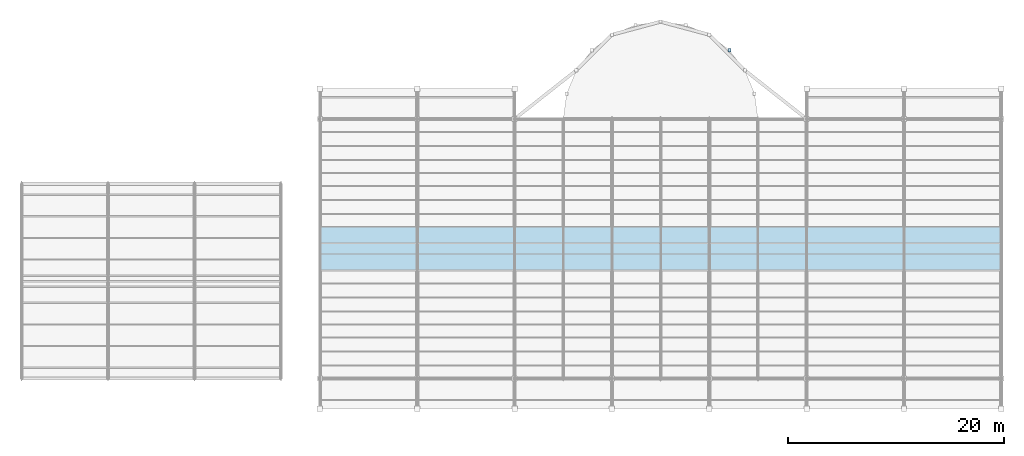
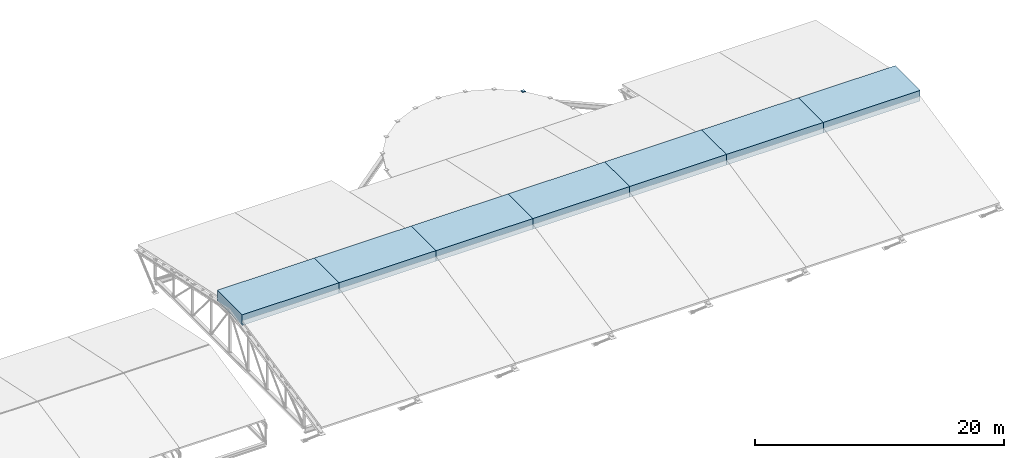
# One storey, part 43 of 43: 7 roofs, 1 plate.
"""IFC4 building model written with IfcOpenShell, lengths in metres."""

from ifc_helpers import new_model, si_unit, direction, frame, origin, origin_2d, place, context, subcontext, project, spatial, polyline, rectangle, outline, extrude, material, layer, layer_set, type_object, element, save


model = new_model("IFC4")

# Units and contexts
model_context = context("Model", 3, precision=1e-05, world=origin(), true_north=direction((0.0, 1.0)))
body_context = subcontext(model_context, "Body", "Model", "MODEL_VIEW")
ifc_project = project(units=[si_unit("LENGTHUNIT", "METRE"), si_unit("AREAUNIT", "SQUARE_METRE"), si_unit("VOLUMEUNIT", "CUBIC_METRE"), si_unit("PLANEANGLEUNIT", "RADIAN"), si_unit("MASSUNIT", "GRAM", prefix="KILO")], contexts=[model_context])

# Site, building, storey
site_placement = place(None, origin())
site = spatial("IfcSite", under=ifc_project, at=site_placement, CompositionType="ELEMENT")
building_placement = place(site_placement, origin())
building = spatial("IfcBuilding", under=site, at=building_placement, Name="Serraforn Aerial Cableway Station", CompositionType="ELEMENT")
storey_placement = place(building_placement, frame((0.0, 0.0, 18.300048828125)))
storey = spatial("IfcBuildingStorey", under=building, at=storey_placement, Name="RF", CompositionType="ELEMENT", Elevation=18.300048828125)

# Plate
ifc_material_1 = material(Name="Steel S355J2", Category="steel")
ifc_layer_1 = layer(ifc_material_1, 0.02490234375)
ifc_layer_set_1 = layer_set([ifc_layer_1], Name="Steel S355J2")
plate_type = type_object("IfcPlateType", Name="PLT-ECP-CHS273", PredefinedType="USERDEFINED", material=ifc_layer_set_1)
plate_placement = place(storey_placement, frame((65.464111328125, 48.364013671875, -0.0009765625), z_axis=(0.0, 0.0, 1.0), x_axis=(1.0, 0.0, 0.0)))
element("IfcPlate", 1, at=plate_placement, inside=storey, type_object=plate_type, Name="Apse Hollow Column End Cap 9", ObjectType="END CAP PLATE", PredefinedType="USERDEFINED", context=body_context, shape_type="SweptSolid", body=[
    extrude(rectangle(XDim=0.300048828125, YDim=0.300048828125, at=origin_2d()), origin(), (0.0, 0.0, 1.0), 0.02490234375),
])

# Roofs
ifc_material_2 = material(Name="Standing-seam patinated copper roofing")
ifc_layer_2 = layer(ifc_material_2, 0.219970703125)
ifc_layer_set_2 = layer_set([ifc_layer_2], Name="Standing-seam patinated copper roofing")
roof_type = type_object("IfcRoofType", Name="ROOF-GABLE-HALL", PredefinedType="GABLE_ROOF", material=ifc_layer_set_2)
roof_1_placement = place(storey_placement, frame((0.0, 0.0, 2.5908203125)))
element("IfcRoof", 2, at=roof_1_placement, inside=storey, type_object=roof_type, Name="Boarding Hall Ridge Monitor Roof 1", PredefinedType="GABLE_ROOF", context=body_context, shape_type="SweptSolid", body=[
    extrude(outline(polyline([(27.60009765625, 28.0), (36.60009765625, 28.0), (36.60009765625, 32.0), (27.60009765625, 32.0), (27.60009765625, 28.0)])), origin(), (0.0, 0.0, 1.0), 1.04345703125),
])
roof_2_placement = place(storey_placement, frame((0.0, 0.0, 2.5908203125)))
element("IfcRoof", 3, at=roof_2_placement, inside=storey, type_object=roof_type, Name="Boarding Hall Ridge Monitor Roof 2", PredefinedType="GABLE_ROOF", context=body_context, shape_type="SweptSolid", body=[
    extrude(outline(polyline([(36.60009765625, 28.0), (45.60009765625, 28.0), (45.60009765625, 32.0), (36.60009765625, 32.0), (36.60009765625, 28.0)])), origin(), (0.0, 0.0, 1.0), 1.04345703125),
])
roof_3_placement = place(storey_placement, frame((0.0, 0.0, 2.5908203125)))
element("IfcRoof", 4, at=roof_3_placement, inside=storey, type_object=roof_type, Name="Boarding Hall Ridge Monitor Roof 3", PredefinedType="GABLE_ROOF", context=body_context, shape_type="SweptSolid", body=[
    extrude(outline(polyline([(45.60009765625, 28.0), (54.60009765625, 28.0), (54.60009765625, 32.0), (45.60009765625, 32.0), (45.60009765625, 28.0)])), origin(), (0.0, 0.0, 1.0), 1.04345703125),
])
roof_4_placement = place(storey_placement, frame((0.0, 0.0, 2.5908203125)))
element("IfcRoof", 5, at=roof_4_placement, inside=storey, type_object=roof_type, Name="Boarding Hall Ridge Monitor Roof 4", PredefinedType="GABLE_ROOF", context=body_context, shape_type="SweptSolid", body=[
    extrude(outline(polyline([(54.60009765625, 28.0), (63.60009765625, 28.0), (63.60009765625, 32.0), (54.60009765625, 32.0), (54.60009765625, 28.0)])), origin(), (0.0, 0.0, 1.0), 1.04345703125),
])
roof_5_placement = place(storey_placement, frame((0.0, 0.0, 2.5908203125)))
element("IfcRoof", 6, at=roof_5_placement, inside=storey, type_object=roof_type, Name="Boarding Hall Ridge Monitor Roof 5", PredefinedType="GABLE_ROOF", context=body_context, shape_type="SweptSolid", body=[
    extrude(outline(polyline([(63.60009765625, 28.0), (72.60009765625, 28.0), (72.60009765625, 32.0), (63.60009765625, 32.0), (63.60009765625, 28.0)])), origin(), (0.0, 0.0, 1.0), 1.04345703125),
])
roof_6_placement = place(storey_placement, frame((0.0, 0.0, 2.5908203125)))
element("IfcRoof", 7, at=roof_6_placement, inside=storey, type_object=roof_type, Name="Boarding Hall Ridge Monitor Roof 6", PredefinedType="GABLE_ROOF", context=body_context, shape_type="SweptSolid", body=[
    extrude(outline(polyline([(72.60009765625, 28.0), (81.60009765625, 28.0), (81.60009765625, 32.0), (72.60009765625, 32.0), (72.60009765625, 28.0)])), origin(), (0.0, 0.0, 1.0), 1.04345703125),
])
roof_7_placement = place(storey_placement, frame((0.0, 0.0, 2.5908203125)))
element("IfcRoof", 8, at=roof_7_placement, inside=storey, type_object=roof_type, Name="Boarding Hall Ridge Monitor Roof 7", PredefinedType="GABLE_ROOF", context=body_context, shape_type="SweptSolid", body=[
    extrude(outline(polyline([(81.60009765625, 28.0), (90.60009765625, 28.0), (90.60009765625, 32.0), (81.60009765625, 32.0), (81.60009765625, 28.0)])), origin(), (0.0, 0.0, 1.0), 1.04345703125),
])

save(model, "model.ifc")
